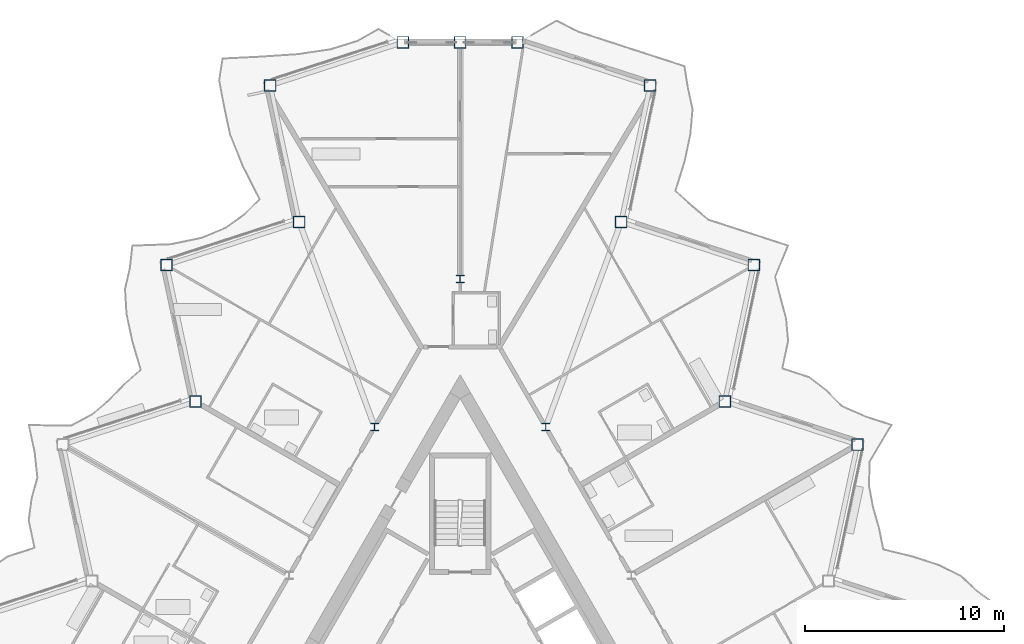
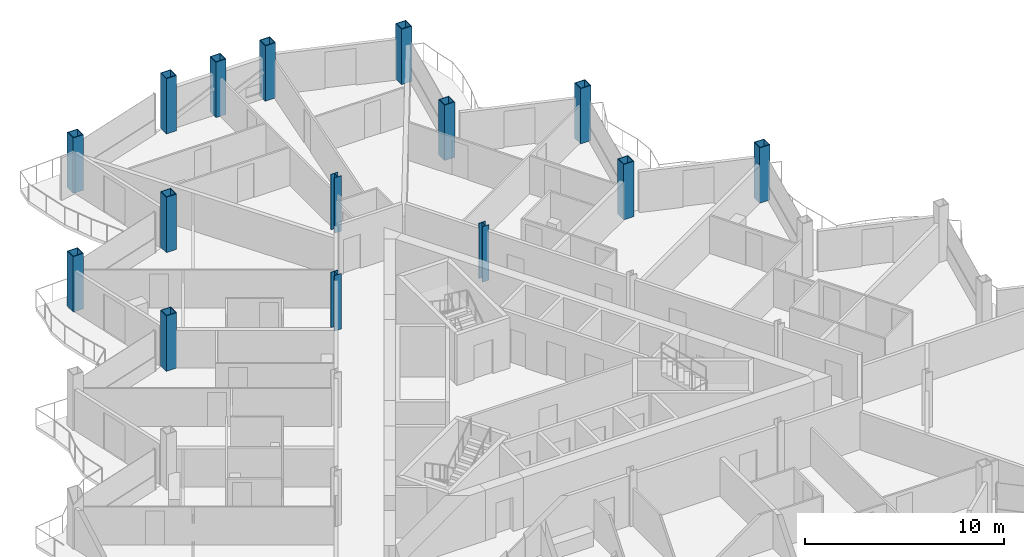
# One storey, part 3 of 26: 15 columns.
"""IFC4 building model written with IfcOpenShell, lengths in metres."""

import ifcopenshell
import ifcopenshell.guid

model = None  # the IFC model being written
_history = None  # IfcOwnerHistory: only IFC2X3 demands one
_inside = {}  # id of a spatial element -> (the spatial element, [elements in it])
_under = {}  # id of a project, library or spatial element -> (it, [spatial elements below it])
_declared = {}  # id of a project -> (the project, [libraries it declares])
_typed = {}  # id of a type object -> (the type object, [elements of that type])
_made_of = {}  # id of a material, layer set ... -> (it, [elements and type objects made of it])


def new_model(schema):
    """Start an empty IFC model of exactly this schema.

    Asked for "IFC4X3", IfcOpenShell would pick the latest addendum, in which some entities
    have other attributes; the version numbers below select the first issue.
    IFC2X3 requires an IfcOwnerHistory on every rooted entity: one is made here for all.
    """
    global model, _history
    if schema == "IFC4X3":
        model = ifcopenshell.file(schema_version=(4, 3, 0, 0))
    else:
        model = ifcopenshell.file(schema=schema)
    _inside.clear()
    _under.clear()
    _declared.clear()
    _typed.clear()
    _made_of.clear()
    _history = None
    if model.schema == "IFC2X3":
        org = make("IfcOrganization", Name="unknown")
        user = make(
            "IfcPersonAndOrganization",
            ThePerson=make("IfcPerson", FamilyName="unknown"),
            TheOrganization=org,
        )
        app = make(
            "IfcApplication",
            ApplicationDeveloper=org,
            Version="unknown",
            ApplicationFullName="unknown",
            ApplicationIdentifier="unknown",
        )
        _history = make(
            "IfcOwnerHistory",
            OwningUser=user,
            OwningApplication=app,
            ChangeAction="ADDED",
            CreationDate=0,
        )
    return model


def make(cls, **values):
    """One entity of the class cls with the attributes given. An attribute that is None is left unset."""
    return model.create_entity(
        cls, **{name: value for name, value in values.items() if value is not None}
    )


def rooted(cls, **values):
    """An entity with a GlobalId (a new one), such as an element, a storey or a relation."""
    return make(cls, GlobalId=ifcopenshell.guid.new(), OwnerHistory=_history, **values)


def si_unit(unit_type, name, prefix=None):
    """IfcSIUnit, for example si_unit("LENGTHUNIT", "METRE", prefix="MILLI")."""
    return make("IfcSIUnit", UnitType=unit_type, Prefix=prefix, Name=name)


def assignment(units):
    """IfcUnitAssignment: the units of a project."""
    return None if units is None else make("IfcUnitAssignment", Units=units)


def point(xyz):
    """IfcCartesianPoint."""
    return None if xyz is None else make("IfcCartesianPoint", Coordinates=xyz)


def direction(xyz):
    """IfcDirection."""
    return None if xyz is None else make("IfcDirection", DirectionRatios=xyz)


def frame(location, z_axis=None, x_axis=None):
    """IfcAxis2Placement3D, a coordinate frame: its origin and axes. An axis left out is left unset."""
    return make(
        "IfcAxis2Placement3D",
        Location=point(location),
        Axis=direction(z_axis),
        RefDirection=direction(x_axis),
    )


def frame_2d(location, x_axis=None):
    """IfcAxis2Placement2D, a coordinate frame in the plane: its origin and x axis."""
    return make(
        "IfcAxis2Placement2D", Location=point(location), RefDirection=direction(x_axis)
    )


def origin():
    """The frame at (0, 0, 0) with its axes left unset."""
    return frame((0.0, 0.0, 0.0))


def origin_2d():
    """The frame at (0, 0) in the plane with its x axis left unset."""
    return frame_2d((0.0, 0.0))


def place(relative_to, where):
    """IfcLocalPlacement: puts the frame where relative to a parent placement (None: the world)."""
    return make(
        "IfcLocalPlacement", PlacementRelTo=relative_to, RelativePlacement=where
    )


def context(
    kind, dimensions, precision=None, world=None, true_north=None, identifier=None
):
    """IfcGeometricRepresentationContext, for example the 3D "Model" context."""
    return make(
        "IfcGeometricRepresentationContext",
        ContextIdentifier=identifier,
        ContextType=kind,
        CoordinateSpaceDimension=dimensions,
        Precision=precision,
        WorldCoordinateSystem=world,
        TrueNorth=true_north,
    )


def subcontext(parent, identifier, kind, view, scale=None):
    """IfcGeometricRepresentationSubContext, for example "Body" below "Model"."""
    return make(
        "IfcGeometricRepresentationSubContext",
        ContextIdentifier=identifier,
        ContextType=kind,
        ParentContext=parent,
        TargetScale=scale,
        TargetView=view,
    )


def project(units=None, contexts=None):
    """IfcProject with its units and contexts."""
    return rooted(
        "IfcProject",
        Name="project",
        RepresentationContexts=contexts,
        UnitsInContext=assignment(units),
    )


def spatial(cls, under=None, at=None, **own):
    """A site, building, storey or space (cls), placed at a placement, below another one or the project."""
    s = rooted(cls, ObjectPlacement=at, **own)
    if under is not None:
        _under.setdefault(under.id(), (under, []))[1].append(s)
    return s


def profile(cls, at=None, kind="AREA", **sizes):
    """A parametric profile (cls). Its sizes go by their IFC names, for example OverallWidth=200.0."""
    return make(cls, ProfileType=kind, Position=at, **sizes)


def hollow_rectangle(**sizes):
    """IfcRectangleHollowProfileDef."""
    return profile("IfcRectangleHollowProfileDef", **sizes)


def i_section(**sizes):
    """IfcIShapeProfileDef."""
    return profile("IfcIShapeProfileDef", **sizes)


def extrude(swept, where, along, depth):
    """IfcExtrudedAreaSolid: the profile swept, set in the frame where, extruded along a direction by depth."""
    return make(
        "IfcExtrudedAreaSolid",
        SweptArea=swept,
        Position=where,
        ExtrudedDirection=direction(along),
        Depth=depth,
    )


def shape(context_of_items, identifier, shape_type, items):
    """IfcShapeRepresentation: the items that make up one representation, for example the "Body"."""
    return make(
        "IfcShapeRepresentation",
        ContextOfItems=context_of_items,
        RepresentationIdentifier=identifier,
        RepresentationType=shape_type,
        Items=items,
    )


def material(Name=None, Category=None):
    """IfcMaterial."""
    return make("IfcMaterial", Name=Name, Category=Category)


def material_profile(
    of_material, cross_section, Name=None, Category=None, Priority=None
):
    """IfcMaterialProfile: a cross section and its material."""
    return make(
        "IfcMaterialProfile",
        Name=Name,
        Material=of_material,
        Profile=cross_section,
        Priority=Priority,
        Category=Category,
    )


def profile_set(profiles, Name=None, composite=None):
    """IfcMaterialProfileSet."""
    return make(
        "IfcMaterialProfileSet",
        Name=Name,
        MaterialProfiles=profiles,
        CompositeProfile=composite,
    )


def made_of(thing, what):
    """Note that an element or type object is made of a material, layer set ...; save() writes the relation."""
    if what is not None:
        _made_of.setdefault(what.id(), (what, []))[1].append(thing)
    return thing


def type_object(cls, material=None, **own):
    """A type object (cls), such as IfcWallType, which elements share."""
    return made_of(rooted(cls, **own), material)


def element(
    cls,
    number,
    at=None,
    inside=None,
    cuts=None,
    type_object=None,
    material=None,
    context=None,
    identifier="Body",
    shape_type=None,
    held_by="IfcProductDefinitionShape",
    body=None,
    shapes=None,
    **own,
):
    """One element of the class cls, such as IfcWall. Its Tag is "e" and its number.

    at: its placement. inside: the storey or other place that contains it. cuts: it is an
    opening in that element (IfcRelVoidsElement). A single representation is given by context,
    identifier, shape_type and body (its items); several are given by shapes. held_by: the class
    of the entity that holds the representations. save() writes the other relations.
    """
    e = rooted(cls, Tag="e%d" % number, ObjectPlacement=at, **own)
    if body is not None:
        shapes = [shape(context, identifier, shape_type, body)]
    if shapes is not None:
        e.Representation = make(held_by, Representations=shapes)
    if inside is not None:
        _inside.setdefault(inside.id(), (inside, []))[1].append(e)
    if cuts is not None:
        rooted(
            "IfcRelVoidsElement", RelatingBuildingElement=cuts, RelatedOpeningElement=e
        )
    if type_object is not None:
        _typed.setdefault(type_object.id(), (type_object, []))[1].append(e)
    return made_of(e, material)


def aggregate(whole, parts):
    """IfcRelAggregates: a whole, such as a stair, and the parts it consists of."""
    return rooted("IfcRelAggregates", RelatingObject=whole, RelatedObjects=parts)


def save(model, path):
    """Write the relations noted so far, then the file.

    IfcRelAggregates (storeys below a building ...), IfcRelContainedInSpatialStructure (elements
    in a storey), IfcRelDefinesByType, IfcRelAssociatesMaterial and IfcRelDeclares: one each for
    every whole, place, type object, material and project.
    """
    for whole, parts in _under.values():
        aggregate(whole, parts)
    for where, things in _inside.values():
        rooted(
            "IfcRelContainedInSpatialStructure",
            RelatedElements=things,
            RelatingStructure=where,
        )
    for kind, things in _typed.values():
        rooted("IfcRelDefinesByType", RelatedObjects=things, RelatingType=kind)
    for what, things in _made_of.values():
        rooted("IfcRelAssociatesMaterial", RelatedObjects=things, RelatingMaterial=what)
    for by, libraries in _declared.values():
        rooted("IfcRelDeclares", RelatingContext=by, RelatedDefinitions=libraries)
    model.write(path)


model = new_model("IFC4")

# Units and contexts
model_context = context("Model", 3, precision=1e-05, world=origin(), true_north=direction((0.0, 1.0)))
body_context = subcontext(model_context, "Body", "Model", "MODEL_VIEW")
ifc_project = project(units=[si_unit("LENGTHUNIT", "METRE"), si_unit("AREAUNIT", "SQUARE_METRE"), si_unit("VOLUMEUNIT", "CUBIC_METRE"), si_unit("PLANEANGLEUNIT", "RADIAN"), si_unit("MASSUNIT", "GRAM", prefix="KILO")], contexts=[model_context])

# Site, building, storey
site_placement = place(None, origin())
site = spatial("IfcSite", under=ifc_project, at=site_placement, CompositionType="ELEMENT")
building_placement = place(site_placement, origin())
building = spatial("IfcBuilding", under=site, at=building_placement, Name="Cormorant Prow Tower", CompositionType="ELEMENT")
storey_placement = place(building_placement, frame((0.0, 0.0, 325.60009765625)))
storey = spatial("IfcBuildingStorey", under=building, at=storey_placement, Name="L72", CompositionType="ELEMENT", Elevation=325.60009765625)

# Columns
ifc_material_1 = material(Name="Structural steel ASTM A572 Gr 50", Category="steel")
ifc_material_profile_1 = material_profile(ifc_material_1, hollow_rectangle(XDim=0.60009765625, YDim=0.60009765625, WallThickness=0.0400390625, at=origin_2d()), Name="Box 600x600x40")
ifc_profile_set_1 = profile_set([ifc_material_profile_1], Name="Structural steel ASTM A572 Gr 50")
column_type_1 = type_object("IfcColumnType", Name="Perimeter box column 600x600x40", PredefinedType="COLUMN", material=ifc_profile_set_1)
for number, where, z_axis, x_axis, name in (
    (1, (19.925537109375, 11.504150390625, 0.0), (0.0, 0.0, 1.0), (1.0, 0.0, 0.0), "Perimeter column C6 at ENE05 L72"),
    (2, (13.27197265625, 13.666015625, 0.0), (0.0, 0.0, 1.0), (1.0, 0.0, 0.0), "Perimeter column C6 at ENE06 L72"),
    (3, (14.7265625, 20.509033203125, 0.0), (0.0, 0.0, 1.0), (1.0, 0.0, 0.0), "Perimeter column C6 at ENE07 L72"),
    (4, (8.072998046875, 22.6708984375, 0.0), (0.0, 0.0, 1.0), (1.0, 0.0, 0.0), "Perimeter column C6 at ENE08 L72"),
    (5, (9.52734375, 29.51416015625, 0.0), (0.0, 0.0, 1.0), (1.0, 0.0, 0.0), "Perimeter column C6 at ENE09 L72"),
    (6, (2.873779296875, 31.676025390625, 0.0), (0.0, 0.0, 1.0), (1.0, 0.0, 0.0), "Perimeter column C6 at N00 L72"),
    (7, (0.0, 31.676025390625, 0.0), (0.0, 0.0, 1.0), (1.0, 0.0, 0.0), "Perimeter column C6 at N01 L72"),
    (8, (-2.873779296875, 31.676025390625, 0.0), (0.0, 0.0, 1.0), (1.0, 0.0, 0.0), "Perimeter column C6 at WNW00 L72"),
    (9, (-9.52734375, 29.51416015625, 0.0), (0.0, 0.0, 1.0), (1.0, 0.0, 0.0), "Perimeter column C6 at WNW01 L72"),
    (10, (-8.072998046875, 22.6708984375, 0.0), (0.0, 0.0, 1.0), (1.0, 0.0, 0.0), "Perimeter column C6 at WNW02 L72"),
    (11, (-14.7265625, 20.509033203125, 0.0), (0.0, 0.0, 1.0), (1.0, 0.0, 0.0), "Perimeter column C6 at WNW03 L72"),
    (12, (-13.27197265625, 13.666015625, 0.0), (0.0, 0.0, 1.0), (1.0, 0.0, 0.0), "Perimeter column C6 at WNW04 L72"),
):
    element("IfcColumn", number, at=place(storey_placement, frame(where, z_axis=z_axis, x_axis=x_axis)), inside=storey, type_object=column_type_1, Name=name, PredefinedType="COLUMN", context=body_context, shape_type="SweptSolid", body=[
        extrude(hollow_rectangle(XDim=0.60009765625, YDim=0.60009765625, WallThickness=0.0400390625, at=origin_2d()), origin(), (0.0, 0.0, 1.0), 3.39990234375),
    ])
ifc_material_2 = material(Name="Structural steel ASTM A992 Gr 50", Category="steel")
ifc_material_profile_2 = material_profile(ifc_material_2, i_section(OverallWidth=0.3955078125, OverallDepth=0.380615234375, WebThickness=0.018798828125, FlangeThickness=0.0302734375, at=origin_2d()), Name="W14x159")
ifc_profile_set_2 = profile_set([ifc_material_profile_2], Name="Structural steel ASTM A992 Gr 50")
column_type_2 = type_object("IfcColumnType", Name="Ring column W14x159", PredefinedType="COLUMN", material=ifc_profile_set_2)
for number, where, z_axis, x_axis, name in (
    (13, (0.0, 19.81103515625, 0.0), (0.0, 0.0, 1.0), (1.0, 0.0, 0.0), "Ring column 1 L72"),
    (14, (-4.289306640625, 12.3818359375, 0.0), (0.0, 0.0, 1.0), (1.0, 0.0, 0.0), "Ring column 2 L72"),
    (15, (4.289306640625, 12.3818359375, 0.0), (0.0, 0.0, 1.0), (1.0, 0.0, 0.0), "Ring column 12 L72"),
):
    element("IfcColumn", number, at=place(storey_placement, frame(where, z_axis=z_axis, x_axis=x_axis)), inside=storey, type_object=column_type_2, Name=name, PredefinedType="COLUMN", context=body_context, shape_type="SweptSolid", body=[
        extrude(i_section(OverallWidth=0.3955078125, OverallDepth=0.380615234375, WebThickness=0.018798828125, FlangeThickness=0.0302734375, at=origin_2d()), origin(), (0.0, 0.0, 1.0), 3.39990234375),
    ])

save(model, "model.ifc")
